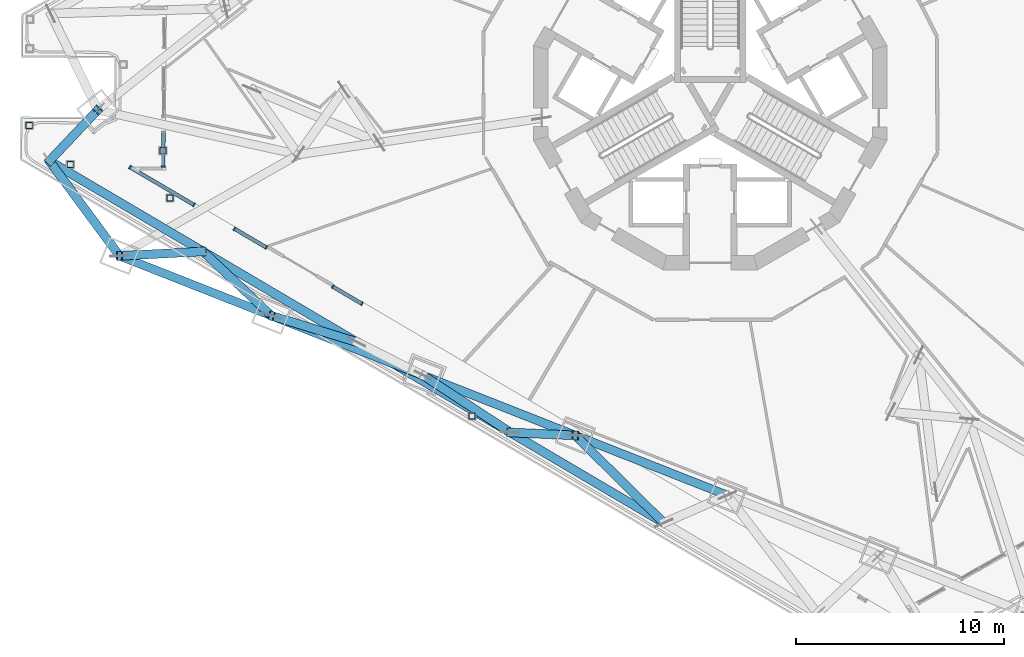
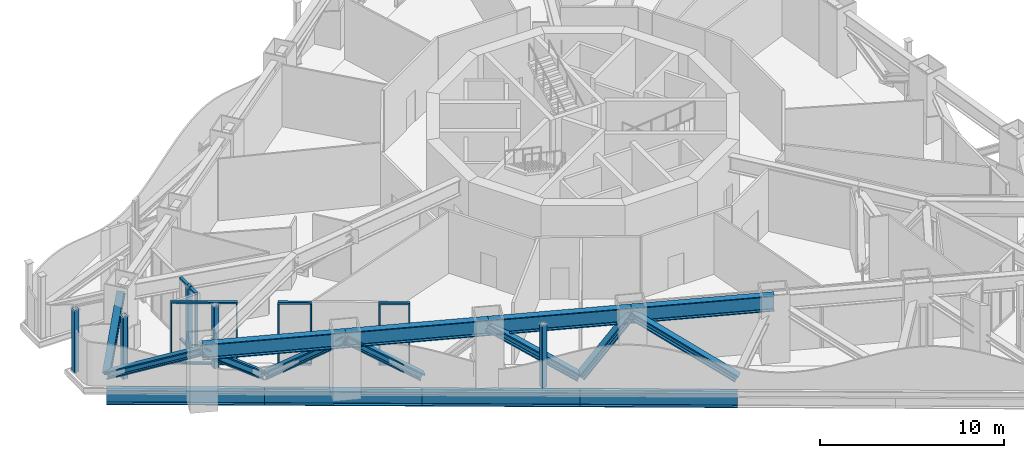
# One storey, part 1 of 27: 36 members, 4 elements without a shape of their own.
"""IFC4 building model written with IfcOpenShell, lengths in metres."""

from ifc_helpers import new_model, si_unit, direction, frame, origin, origin_2d, place, context, subcontext, project, spatial, rectangle, hollow_rectangle, i_section, extrude, material, layer, layer_set, material_profile, profile_set, type_object, element, aggregate, save


model = new_model("IFC4")

# Units and contexts
model_context = context("Model", 3, precision=1e-05, world=origin(), true_north=direction((0.0, 1.0)))
body_context = subcontext(model_context, "Body", "Model", "MODEL_VIEW")
ifc_project = project(units=[si_unit("LENGTHUNIT", "METRE"), si_unit("AREAUNIT", "SQUARE_METRE"), si_unit("VOLUMEUNIT", "CUBIC_METRE"), si_unit("PLANEANGLEUNIT", "RADIAN"), si_unit("MASSUNIT", "GRAM", prefix="KILO")], contexts=[model_context])

# Site, building, storey
site_placement = place(None, origin())
site = spatial("IfcSite", under=ifc_project, at=site_placement, CompositionType="ELEMENT")
building_placement = place(site_placement, origin())
building = spatial("IfcBuilding", under=site, at=building_placement, Name="Trine Commons Tower", CompositionType="ELEMENT")
storey_placement = place(building_placement, frame((0.0, 0.0, 193.5)))
storey = spatial("IfcBuildingStorey", under=building, at=storey_placement, Name="L50", CompositionType="ELEMENT", Elevation=193.5)

# Curtain wall, member
ifc_material_1 = material(Name="Sky lounge glazing: anodised aluminium frame with low-emissivity double glazed unit, solar control", Category="aluminium")
ifc_layer = layer(ifc_material_1, 0.179931640625)
ifc_layer_set = layer_set([ifc_layer], Name="Sky lounge glazing: anodised aluminium frame with low-emissivity double glazed unit, solar control")
curtain_wall_type = type_object("IfcCurtainWallType", Name="Sky lounge glazing curtain wall CW5", PredefinedType="NOTDEFINED", material=ifc_layer_set)
curtain_wall_1_placement = place(storey_placement, origin())
curtain_wall_1 = element("IfcCurtainWall", 1, at=curtain_wall_1_placement, inside=storey, type_object=curtain_wall_type, Name="Sky lounge glazing L50 P1.1", PredefinedType="NOTDEFINED")
ifc_material_2 = material(Name="Anodised aluminium, bronze finish", Category="aluminium")
ifc_material_profile_1 = material_profile(ifc_material_2, rectangle(XDim=0.179931640625, YDim=0.074951171875, at=origin_2d()), Name="Mullion 75x180")
ifc_profile_set_1 = profile_set([ifc_material_profile_1], Name="Anodised aluminium, bronze finish")
member_type_1 = type_object("IfcMemberType", Name="Mullion 75x180, Anodised aluminium, bronze finish", PredefinedType="MULLION", material=ifc_profile_set_1)
member_1_placement = place(storey_placement, frame((53.703125, 58.966796875, 0.110107421875), z_axis=(0.0, 0.0, 1.0), x_axis=(-0.999961923064, 0.008726535498, 0.0)))
member_1 = element("IfcMember", 2, at=member_1_placement, type_object=member_type_1, Name="CW5 mullion 1.1", PredefinedType="MULLION", context=body_context, shape_type="SweptSolid", body=[
    extrude(rectangle(XDim=0.179931640625, YDim=0.074951171875, at=origin_2d()), origin(), (0.0, 0.0, 1.0), 3.929931640625),
])

# Curtain wall, members
curtain_wall_2_placement = place(storey_placement, origin())
curtain_wall_2 = element("IfcCurtainWall", 3, at=curtain_wall_2_placement, inside=storey, type_object=curtain_wall_type, Name="Sky lounge glazing L50 F3.2", PredefinedType="NOTDEFINED")
member_2_placement = place(storey_placement, frame((63.251708984375, 52.371337890625, 0.110107421875), z_axis=(0.0, 0.0, 1.0), x_axis=(-0.507538362961, -0.861629160442, 0.0)))
member_2 = element("IfcMember", 4, at=member_2_placement, type_object=member_type_1, Name="CW5 mullion 1.1", PredefinedType="MULLION", context=body_context, shape_type="SweptSolid", body=[
    extrude(rectangle(XDim=0.179931640625, YDim=0.074951171875, at=origin_2d()), origin(), (0.0, 0.0, 1.0), 3.929931640625),
])
member_3_placement = place(storey_placement, frame((61.861083984375, 53.190673828125, 0.110107421875), z_axis=(0.0, 0.0, 1.0), x_axis=(-0.507538362961, -0.861629160442, 0.0)))
member_3 = element("IfcMember", 5, at=member_3_placement, type_object=member_type_1, Name="CW5 mullion 2.1", PredefinedType="MULLION", context=body_context, shape_type="SweptSolid", body=[
    extrude(rectangle(XDim=0.179931640625, YDim=0.074951171875, at=origin_2d()), origin(), (0.0, 0.0, 1.0), 3.929931640625),
])

curtain_wall_3_placement = place(storey_placement, origin())
curtain_wall_3 = element("IfcCurtainWall", 6, at=curtain_wall_3_placement, inside=storey, type_object=curtain_wall_type, Name="Sky lounge glazing L50 F3.3", PredefinedType="NOTDEFINED")
member_4_placement = place(storey_placement, frame((58.65380859375, 55.07958984375, 0.110107421875), z_axis=(0.0, 0.0, 1.0), x_axis=(-0.507538362961, -0.861629160442, 0.0)))
member_4 = element("IfcMember", 7, at=member_4_placement, type_object=member_type_1, Name="CW5 mullion 1.1", PredefinedType="MULLION", context=body_context, shape_type="SweptSolid", body=[
    extrude(rectangle(XDim=0.179931640625, YDim=0.074951171875, at=origin_2d()), origin(), (0.0, 0.0, 1.0), 3.929931640625),
])
member_5_placement = place(storey_placement, frame((57.134033203125, 55.974853515625, 0.110107421875), z_axis=(0.0, 0.0, 1.0), x_axis=(-0.507538362961, -0.861629160442, 0.0)))
member_5 = element("IfcMember", 8, at=member_5_placement, type_object=member_type_1, Name="CW5 mullion 2.1", PredefinedType="MULLION", context=body_context, shape_type="SweptSolid", body=[
    extrude(rectangle(XDim=0.179931640625, YDim=0.074951171875, at=origin_2d()), origin(), (0.0, 0.0, 1.0), 3.929931640625),
])

curtain_wall_4_placement = place(storey_placement, origin())
curtain_wall_4 = element("IfcCurtainWall", 9, at=curtain_wall_4_placement, inside=storey, type_object=curtain_wall_type, Name="Sky lounge glazing L50 F3.4", PredefinedType="NOTDEFINED")
member_6_placement = place(storey_placement, frame((55.18017578125, 57.1259765625, 0.110107421875), z_axis=(0.0, 0.0, 1.0), x_axis=(-0.507538362961, -0.861629160442, 0.0)))
member_6 = element("IfcMember", 10, at=member_6_placement, type_object=member_type_1, Name="CW5 mullion 1.1", PredefinedType="MULLION", context=body_context, shape_type="SweptSolid", body=[
    extrude(rectangle(XDim=0.179931640625, YDim=0.074951171875, at=origin_2d()), origin(), (0.0, 0.0, 1.0), 3.929931640625),
])
member_7_placement = place(storey_placement, frame((52.112060546875, 58.93310546875, 0.110107421875), z_axis=(0.0, 0.0, 1.0), x_axis=(-0.507538362961, -0.861629160442, 0.0)))
member_7 = element("IfcMember", 11, at=member_7_placement, type_object=member_type_1, Name="CW5 mullion 2.1", PredefinedType="MULLION", context=body_context, shape_type="SweptSolid", body=[
    extrude(rectangle(XDim=0.179931640625, YDim=0.074951171875, at=origin_2d()), origin(), (0.0, 0.0, 1.0), 3.929931640625),
])

# Members
ifc_material_3 = material(Name="Structural steel ASTM A992 Gr50", Category="steel")
ifc_material_profile_2 = material_profile(ifc_material_3, i_section(OverallWidth=0.42236328125, OverallDepth=0.46337890625, WebThickness=0.044921875, FlangeThickness=0.072509765625, FilletRadius=0.014892578125, at=origin_2d()), Name="W14X398")
ifc_profile_set_2 = profile_set([ifc_material_profile_2], Name="Structural steel ASTM A992 Gr50")
member_type_2 = type_object("IfcMemberType", Name="Steel brace W14X398, ASTM A992 Gr50", PredefinedType="BRACE", material=ifc_profile_set_2)
member_8_placement = place(storey_placement, frame((70.388427734375, 46.182861328125, 0.474609375), z_axis=(0.703031231451, -0.031990884166, 0.710439069122), x_axis=(0.045457176558, 0.99896628827, 0.0)))
element("IfcMember", 12, at=member_8_placement, inside=storey, type_object=member_type_2, Name="Transfer truss brace T5-DG-07", PredefinedType="BRACE", context=body_context, shape_type="SweptSolid", body=[
    extrude(i_section(OverallWidth=0.42236328125, OverallDepth=0.46337890625, WebThickness=0.044921875, FlangeThickness=0.072509765625, FilletRadius=0.014892578125, at=origin_2d()), origin(), (0.0, 0.0, 1.0), 4.44921875),
])
member_9_placement = place(storey_placement, frame((77.773193359375, 41.8330078125, 0.474609375), z_axis=(-0.62890151417, 0.621615548016, 0.466987147509), x_axis=(-0.702974988835, -0.711214570346, 0.0)))
element("IfcMember", 13, at=member_9_placement, inside=storey, type_object=member_type_2, Name="Transfer truss brace T5-DG-08", PredefinedType="BRACE", context=body_context, shape_type="SweptSolid", body=[
    extrude(i_section(OverallWidth=0.42236328125, OverallDepth=0.46337890625, WebThickness=0.044921875, FlangeThickness=0.072509765625, FilletRadius=0.014892578125, at=origin_2d()), origin(), (0.0, 0.0, 1.0), 6.768798828125),
])
member_10_placement = place(storey_placement, frame((70.388427734375, 46.182861328125, 0.474609375), z_axis=(-0.706808303902, 0.462859033106, 0.534961248136), x_axis=(-0.547842176156, -0.836581705528, 0.0)))
element("IfcMember", 14, at=member_10_placement, inside=storey, type_object=member_type_2, Name="Transfer truss brace T5-DG-10", PredefinedType="BRACE", context=body_context, shape_type="SweptSolid", body=[
    extrude(i_section(OverallWidth=0.42236328125, OverallDepth=0.46337890625, WebThickness=0.044921875, FlangeThickness=0.072509765625, FilletRadius=0.014892578125, at=origin_2d()), origin(), (0.0, 0.0, 1.0), 5.90869140625),
])
member_11_placement = place(storey_placement, frame((63.00390625, 50.53271484375, 0.474609375), z_axis=(-0.76913553148, 0.237002664069, 0.593515182147), x_axis=(-0.294478071511, -0.955658236714, 0.0)))
element("IfcMember", 15, at=member_11_placement, inside=storey, type_object=member_type_2, Name="Transfer truss brace T5-DG-11", PredefinedType="BRACE", context=body_context, shape_type="SweptSolid", body=[
    extrude(i_section(OverallWidth=0.42236328125, OverallDepth=0.46337890625, WebThickness=0.044921875, FlangeThickness=0.072509765625, FilletRadius=0.014892578125, at=origin_2d()), origin(), (0.0, 0.0, 1.0), 5.32568359375),
])
member_12_placement = place(storey_placement, frame((55.619140625, 54.8828125, 0.474609375), z_axis=(0.597025194627, -0.560592031302, 0.573844483655), x_axis=(0.68451340068, 0.72900027729, 0.0)))
element("IfcMember", 16, at=member_12_placement, inside=storey, type_object=member_type_2, Name="Transfer truss brace T5-DG-12", PredefinedType="BRACE", context=body_context, shape_type="SweptSolid", body=[
    extrude(i_section(OverallWidth=0.42236328125, OverallDepth=0.46337890625, WebThickness=0.044921875, FlangeThickness=0.072509765625, FilletRadius=0.014892578125, at=origin_2d()), origin(), (0.0, 0.0, 1.0), 5.50830078125),
])
member_13_placement = place(storey_placement, frame((55.619140625, 54.8828125, 0.474609375), z_axis=(-0.785105558797, -0.041145488308, 0.617993778559), x_axis=(0.052335765296, -0.998629544762, 0.0)))
element("IfcMember", 17, at=member_13_placement, inside=storey, type_object=member_type_2, Name="Transfer truss brace T5-DG-13", PredefinedType="BRACE", context=body_context, shape_type="SweptSolid", body=[
    extrude(i_section(OverallWidth=0.42236328125, OverallDepth=0.46337890625, WebThickness=0.044921875, FlangeThickness=0.072509765625, FilletRadius=0.014892578125, at=origin_2d()), origin(), (0.0, 0.0, 1.0), 5.11474609375),
])
member_14_placement = place(storey_placement, frame((48.234375, 59.232666015625, 0.474609375), z_axis=(0.519013482744, -0.702511075665, 0.486932431963), x_axis=(0.804304089924, 0.594217915357, 0.0)))
element("IfcMember", 18, at=member_14_placement, inside=storey, type_object=member_type_2, Name="Transfer truss brace T5-DG-14", PredefinedType="BRACE", context=body_context, shape_type="SweptSolid", body=[
    extrude(i_section(OverallWidth=0.42236328125, OverallDepth=0.46337890625, WebThickness=0.044921875, FlangeThickness=0.072509765625, FilletRadius=0.014892578125, at=origin_2d()), origin(), (0.0, 0.0, 1.0), 6.491455078125),
])
member_15_placement = place(storey_placement, frame((48.234375, 59.232666015625, 0.474609375), z_axis=(0.501961058669, 0.529941639348, 0.683518071791), x_axis=(-0.726013498687, 0.687680448846, 0.0)))
element("IfcMember", 19, at=member_15_placement, inside=storey, type_object=member_type_2, Name="Transfer truss brace T5-DG-15", PredefinedType="BRACE", context=body_context, shape_type="SweptSolid", body=[
    extrude(i_section(OverallWidth=0.42236328125, OverallDepth=0.46337890625, WebThickness=0.044921875, FlangeThickness=0.072509765625, FilletRadius=0.014892578125, at=origin_2d()), origin(), (0.0, 0.0, 1.0), 4.62451171875),
])
ifc_material_profile_3 = material_profile(ifc_material_3, i_section(OverallWidth=0.42236328125, OverallDepth=0.94921875, WebThickness=0.02392578125, FlangeThickness=0.042724609375, FilletRadius=0.024169921875, at=origin_2d()), Name="W36X302")
ifc_profile_set_3 = profile_set([ifc_material_profile_3], Name="Structural steel ASTM A992 Gr50")
member_type_3 = type_object("IfcMemberType", Name="Steel chord W36X302, ASTM A992 Gr50", PredefinedType="CHORD", material=ifc_profile_set_3)
for number, where, z_axis, x_axis, name in (
    (20, (77.773193359375, 41.8330078125, -0.924560546875), (-0.861634562482, 0.507529192004, 0.0), (-0.507529192004, -0.861634562482, 0.0), "Transfer truss chord T5-LC-03"),
    (21, (70.388427734375, 46.182861328125, -0.924560546875), (-0.861627224705, 0.507541649174, 0.0), (-0.507541649174, -0.861627224705, 0.0), "Transfer truss chord T5-LC-04"),
):
    element("IfcMember", number, at=place(storey_placement, frame(where, z_axis=z_axis, x_axis=x_axis)), inside=storey, type_object=member_type_3, Name=name, PredefinedType="CHORD", context=body_context, shape_type="SweptSolid", body=[
        extrude(i_section(OverallWidth=0.42236328125, OverallDepth=0.94921875, WebThickness=0.02392578125, FlangeThickness=0.042724609375, FilletRadius=0.024169921875, at=origin_2d()), origin(), (0.0, 0.0, 1.0), 8.570556640625),
    ])
member_16_placement = place(storey_placement, frame((63.00390625, 50.53271484375, -0.924560546875), z_axis=(-0.861622105485, 0.50755033971, 0.0), x_axis=(-0.50755033971, -0.861622105485, 0.0)))
element("IfcMember", 22, at=member_16_placement, inside=storey, type_object=member_type_3, Name="Transfer truss chord T5-LC-05", PredefinedType="CHORD", context=body_context, shape_type="SweptSolid", body=[
    extrude(i_section(OverallWidth=0.42236328125, OverallDepth=0.94921875, WebThickness=0.02392578125, FlangeThickness=0.042724609375, FilletRadius=0.024169921875, at=origin_2d()), origin(), (0.0, 0.0, 1.0), 8.57080078125),
])
member_17_placement = place(storey_placement, frame((55.619140625, 54.8828125, -0.924560546875), z_axis=(-0.861634562482, 0.507529192004, 0.0), x_axis=(-0.507529192004, -0.861634562482, 0.0)))
element("IfcMember", 23, at=member_17_placement, inside=storey, type_object=member_type_3, Name="Transfer truss chord T5-LC-06", PredefinedType="CHORD", context=body_context, shape_type="SweptSolid", body=[
    extrude(i_section(OverallWidth=0.42236328125, OverallDepth=0.94921875, WebThickness=0.02392578125, FlangeThickness=0.042724609375, FilletRadius=0.024169921875, at=origin_2d()), origin(), (0.0, 0.0, 1.0), 8.570556640625),
])
ifc_material_profile_4 = material_profile(ifc_material_3, i_section(OverallWidth=0.406494140625, OverallDepth=1.02880859375, WebThickness=0.0283203125, FlangeThickness=0.051025390625, FilletRadius=0.02978515625, at=origin_2d()), Name="W40X362")
ifc_profile_set_4 = profile_set([ifc_material_profile_4], Name="Structural steel ASTM A992 Gr50")
member_type_4 = type_object("IfcMemberType", Name="Steel chord W40X362, ASTM A992 Gr50", PredefinedType="CHORD", material=ifc_profile_set_4)
member_18_placement = place(storey_placement, frame((80.82080078125, 43.1630859375, 3.635498046875), z_axis=(-0.93041128502, 0.366517176552, 0.0), x_axis=(-0.366517176552, -0.93041128502, 0.0)))
element("IfcMember", 24, at=member_18_placement, inside=storey, type_object=member_type_4, Name="Transfer truss chord T5-UC-03", PredefinedType="CHORD", context=body_context, shape_type="SweptSolid", body=[
    extrude(i_section(OverallWidth=0.406494140625, OverallDepth=1.02880859375, WebThickness=0.0283203125, FlangeThickness=0.051025390625, FilletRadius=0.02978515625, at=origin_2d()), origin(), (0.0, 0.0, 1.0), 7.850830078125),
])
member_19_placement = place(storey_placement, frame((73.516357421875, 46.04052734375, 3.635498046875), z_axis=(-0.930417712306, 0.366500860336, 0.0), x_axis=(-0.366500860336, -0.930417712306, 0.0)))
element("IfcMember", 25, at=member_19_placement, inside=storey, type_object=member_type_4, Name="Transfer truss chord T5-UC-04", PredefinedType="CHORD", context=body_context, shape_type="SweptSolid", body=[
    extrude(i_section(OverallWidth=0.406494140625, OverallDepth=1.02880859375, WebThickness=0.0283203125, FlangeThickness=0.051025390625, FilletRadius=0.02978515625, at=origin_2d()), origin(), (0.0, 0.0, 1.0), 7.850341796875),
])
for number, where, z_axis, x_axis, name in (
    (26, (66.212158203125, 48.917724609375, 3.635498046875), (-0.930421889422, 0.366490255919, 0.0), (-0.366490255919, -0.930421889422, 0.0), "Transfer truss chord T5-UC-05"),
    (27, (58.90771484375, 51.794921875, 3.635498046875), (-0.930407107338, 0.366527781506, 0.0), (-0.366527781506, -0.930407107338, 0.0), "Transfer truss chord T5-UC-06"),
):
    element("IfcMember", number, at=place(storey_placement, frame(where, z_axis=z_axis, x_axis=x_axis)), inside=storey, type_object=member_type_4, Name=name, PredefinedType="CHORD", context=body_context, shape_type="SweptSolid", body=[
        extrude(i_section(OverallWidth=0.406494140625, OverallDepth=1.02880859375, WebThickness=0.0283203125, FlangeThickness=0.051025390625, FilletRadius=0.02978515625, at=origin_2d()), origin(), (0.0, 0.0, 1.0), 7.8505859375),
    ])
ifc_material_4 = material(Name="Structural steel ASTM A500 Gr C", Category="steel")
ifc_material_profile_5 = material_profile(ifc_material_4, hollow_rectangle(XDim=0.3046875, YDim=0.3046875, WallThickness=0.014892578125, InnerFilletRadius=0.00732421875, OuterFilletRadius=0.022216796875, at=origin_2d()), Name="HSS12X12X5/8")
ifc_profile_set_5 = profile_set([ifc_material_profile_5], Name="Structural steel ASTM A500 Gr C")
member_type_5 = type_object("IfcMemberType", Name="Steel post HSS12X12X5/8, ASTM A500 Gr C", PredefinedType="POST", material=ifc_profile_set_5)
for number, where, z_axis, x_axis, name in (
    (28, (47.260009765625, 60.935546875, 0.0), (0.0, 0.0, 1.0), (1.0, 0.0, 0.0), "Roof post SP5-11"),
    (29, (54.029296875, 57.455810546875, 0.0), (0.0, 0.0, 1.0), (1.0, 0.0, 0.0), "Roof post SP5-12"),
    (30, (53.689453125, 59.730712890625, 0.0), (0.0, 0.0, 1.0), (1.0, 0.0, 0.0), "Roof post SP5-13"),
    (31, (49.239013671875, 59.0654296875, 0.0), (0.0, 0.0, 1.0), (1.0, 0.0, 0.0), "Roof post SP5-14"),
    (32, (68.549560546875, 46.97607421875, 0.0), (0.0, 0.0, 1.0), (1.0, 0.0, 0.0), "Roof post SP5-31"),
):
    element("IfcMember", number, at=place(storey_placement, frame(where, z_axis=z_axis, x_axis=x_axis)), inside=storey, type_object=member_type_5, Name=name, PredefinedType="POST", context=body_context, shape_type="SweptSolid", body=[
        extrude(hollow_rectangle(XDim=0.3046875, YDim=0.3046875, WallThickness=0.014892578125, InnerFilletRadius=0.00732421875, OuterFilletRadius=0.022216796875, at=origin_2d()), origin(), (0.0, 0.0, 1.0), 4.14990234375),
    ])

# Member
ifc_material_profile_6 = material_profile(ifc_material_2, rectangle(XDim=0.179931640625, YDim=0.110107421875, at=origin_2d()), Name="Transom 110x180")
ifc_profile_set_6 = profile_set([ifc_material_profile_6], Name="Anodised aluminium, bronze finish")
member_type_6 = type_object("IfcMemberType", Name="Transom 110x180, Anodised aluminium, bronze finish", PredefinedType="USERDEFINED", material=ifc_profile_set_6)
member_20_placement = place(storey_placement, frame((53.702880859375, 58.92919921875, 0.054931640625), z_axis=(0.008730831841, 0.999961885561, 0.0), x_axis=(-0.999961885561, 0.008730831841, 0.0)))
member_20 = element("IfcMember", 33, at=member_20_placement, type_object=member_type_6, Name="CW5 transom T00", ObjectType="TRANSOM", PredefinedType="USERDEFINED", context=body_context, shape_type="SweptSolid", body=[
    extrude(rectangle(XDim=0.179931640625, YDim=0.110107421875, at=origin_2d()), origin(), (0.0, 0.0, 1.0), 1.733642578125),
])

member_21_placement = place(storey_placement, frame((53.702880859375, 58.92919921875, 4.094970703125), z_axis=(0.008730831841, 0.999961885561, 0.0), x_axis=(-0.999961885561, 0.008730831841, 0.0)))
member_21 = element("IfcMember", 34, at=member_21_placement, type_object=member_type_6, Name="CW5 transom TH00", ObjectType="TRANSOM", PredefinedType="USERDEFINED", context=body_context, shape_type="SweptSolid", body=[
    extrude(rectangle(XDim=0.179931640625, YDim=0.110107421875, at=origin_2d()), origin(), (0.0, 0.0, 1.0), 1.733642578125),
])

aggregate(curtain_wall_1, [member_20, member_21, member_1])

member_22_placement = place(storey_placement, frame((63.283935546875, 52.352294921875, 0.054931640625), z_axis=(-0.861584743991, 0.507613759587, 0.0), x_axis=(-0.507613759587, -0.861584743991, 0.0)))
member_22 = element("IfcMember", 35, at=member_22_placement, type_object=member_type_6, Name="CW5 transom T00", ObjectType="TRANSOM", PredefinedType="USERDEFINED", context=body_context, shape_type="SweptSolid", body=[
    extrude(rectangle(XDim=0.179931640625, YDim=0.110107421875, at=origin_2d()), origin(), (0.0, 0.0, 1.0), 1.689208984375),
])

member_23_placement = place(storey_placement, frame((63.283935546875, 52.352294921875, 4.094970703125), z_axis=(-0.861584743991, 0.507613759587, 0.0), x_axis=(-0.507613759587, -0.861584743991, 0.0)))
member_23 = element("IfcMember", 36, at=member_23_placement, type_object=member_type_6, Name="CW5 transom TH00", ObjectType="TRANSOM", PredefinedType="USERDEFINED", context=body_context, shape_type="SweptSolid", body=[
    extrude(rectangle(XDim=0.179931640625, YDim=0.110107421875, at=origin_2d()), origin(), (0.0, 0.0, 1.0), 1.689208984375),
])

aggregate(curtain_wall_2, [member_22, member_23, member_2, member_3])

member_24_placement = place(storey_placement, frame((58.68603515625, 55.060791015625, 0.054931640625), z_axis=(-0.861647341825, 0.507507495832, 0.0), x_axis=(-0.507507495832, -0.861647341825, 0.0)))
member_24 = element("IfcMember", 37, at=member_24_placement, type_object=member_type_6, Name="CW5 transom T00", ObjectType="TRANSOM", PredefinedType="USERDEFINED", context=body_context, shape_type="SweptSolid", body=[
    extrude(rectangle(XDim=0.179931640625, YDim=0.110107421875, at=origin_2d()), origin(), (0.0, 0.0, 1.0), 1.838623046875),
])

member_25_placement = place(storey_placement, frame((58.68603515625, 55.060791015625, 4.094970703125), z_axis=(-0.861647341825, 0.507507495832, 0.0), x_axis=(-0.507507495832, -0.861647341825, 0.0)))
member_25 = element("IfcMember", 38, at=member_25_placement, type_object=member_type_6, Name="CW5 transom TH00", ObjectType="TRANSOM", PredefinedType="USERDEFINED", context=body_context, shape_type="SweptSolid", body=[
    extrude(rectangle(XDim=0.179931640625, YDim=0.110107421875, at=origin_2d()), origin(), (0.0, 0.0, 1.0), 1.838623046875),
])

aggregate(curtain_wall_3, [member_24, member_25, member_4, member_5])

member_26_placement = place(storey_placement, frame((55.21240234375, 57.106689453125, 0.054931640625), z_axis=(-0.861618167985, 0.507557023987, 0.0), x_axis=(-0.507557023987, -0.861618167985, 0.0)))
member_26 = element("IfcMember", 39, at=member_26_placement, type_object=member_type_6, Name="CW5 transom T00", ObjectType="TRANSOM", PredefinedType="USERDEFINED", context=body_context, shape_type="SweptSolid", body=[
    extrude(rectangle(XDim=0.179931640625, YDim=0.110107421875, at=origin_2d()), origin(), (0.0, 0.0, 1.0), 3.635986328125),
])

member_27_placement = place(storey_placement, frame((55.21240234375, 57.106689453125, 4.094970703125), z_axis=(-0.861618167985, 0.507557023987, 0.0), x_axis=(-0.507557023987, -0.861618167985, 0.0)))
member_27 = element("IfcMember", 40, at=member_27_placement, type_object=member_type_6, Name="CW5 transom TH00", ObjectType="TRANSOM", PredefinedType="USERDEFINED", context=body_context, shape_type="SweptSolid", body=[
    extrude(rectangle(XDim=0.179931640625, YDim=0.110107421875, at=origin_2d()), origin(), (0.0, 0.0, 1.0), 3.635986328125),
])

aggregate(curtain_wall_4, [member_26, member_27, member_6, member_7])

save(model, "model.ifc")
